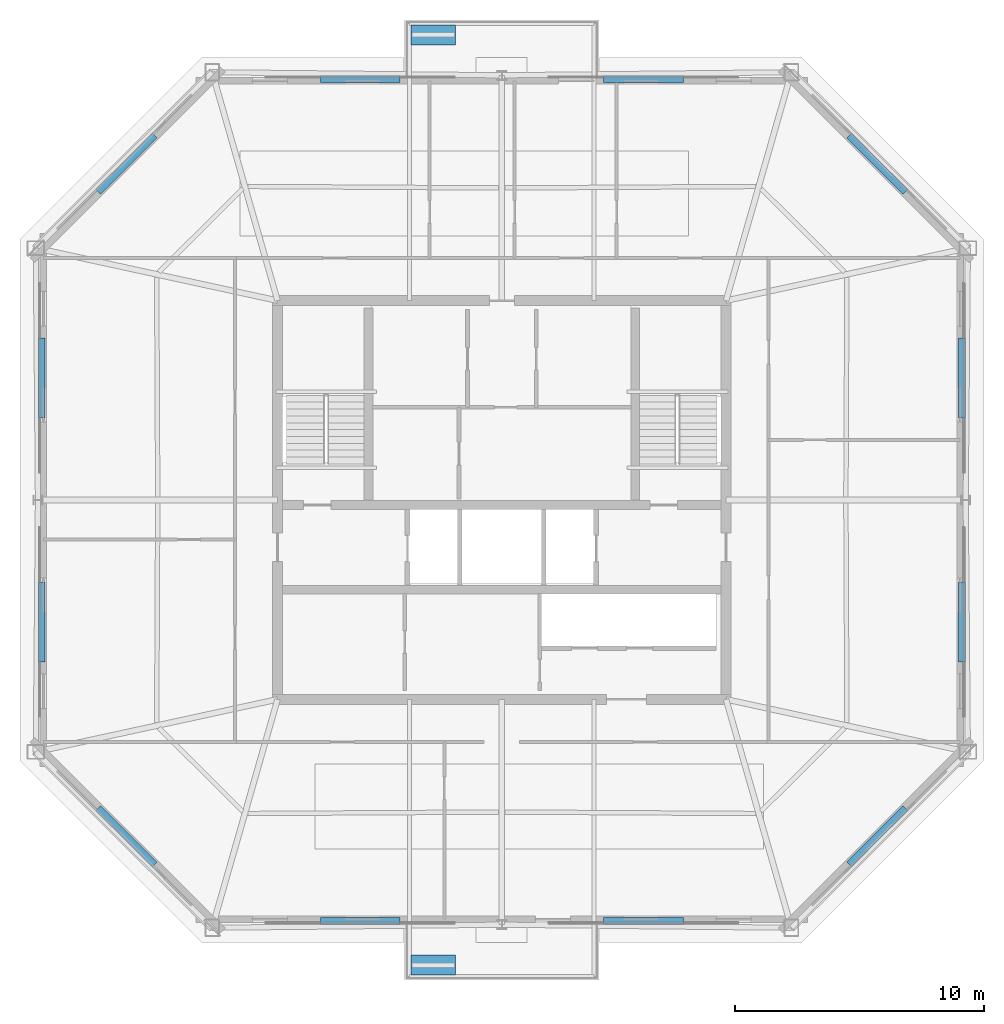
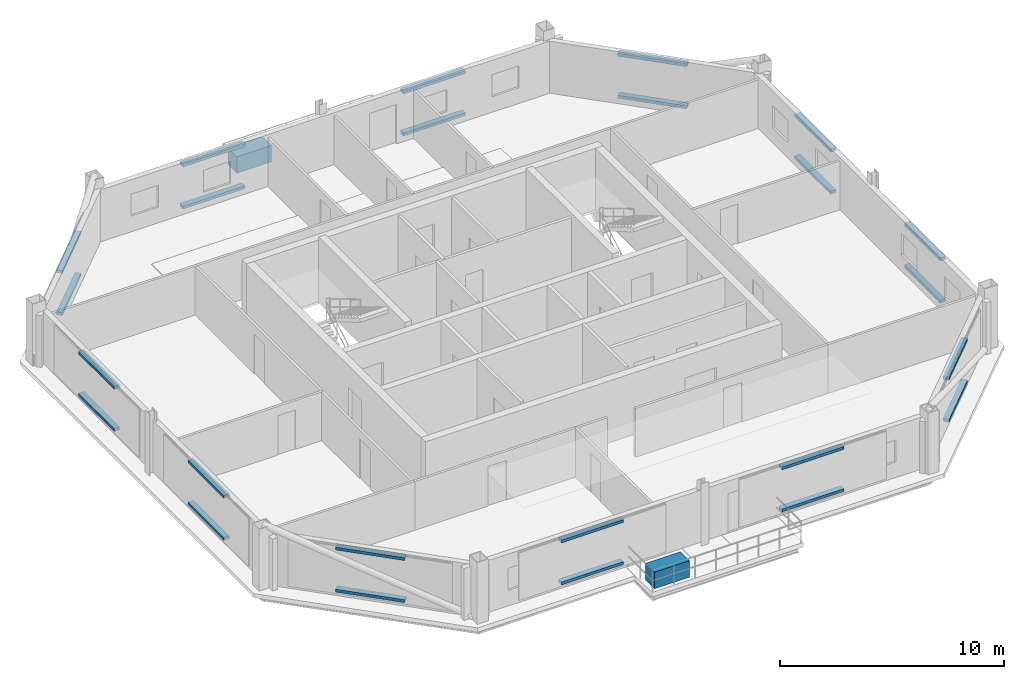
# One storey, part 5 of 7: 26 discrete accessories.
"""IFC4 building model written with IfcOpenShell, lengths in metres."""

from ifc_helpers import new_model, si_unit, direction, frame, origin, origin_2d, place, context, subcontext, project, spatial, rectangle, extrude, material, type_object, element, save


model = new_model("IFC4")

# Units and contexts
model_context = context("Model", 3, precision=1e-05, world=origin(), true_north=direction((0.0, 1.0)))
body_context = subcontext(model_context, "Body", "Model", "MODEL_VIEW")
ifc_project = project(units=[si_unit("LENGTHUNIT", "METRE"), si_unit("AREAUNIT", "SQUARE_METRE"), si_unit("VOLUMEUNIT", "CUBIC_METRE"), si_unit("PLANEANGLEUNIT", "RADIAN"), si_unit("MASSUNIT", "GRAM", prefix="KILO")], contexts=[model_context])

# Site, building, storey
site_placement = place(None, origin())
site = spatial("IfcSite", under=ifc_project, at=site_placement, CompositionType="ELEMENT")
building_placement = place(site_placement, origin())
building = spatial("IfcBuilding", under=site, at=building_placement, Name="Caelvoria Tower", CompositionType="ELEMENT")
storey_placement = place(building_placement, frame((0.0, 0.0, 253.800048828125)))
storey = spatial("IfcBuildingStorey", under=building, at=storey_placement, Name="L67", CompositionType="ELEMENT", Elevation=253.800048828125)

# Discrete accessories
ifc_material_1 = material(Name="Anodised Bronze Stainless Bracket", Category="bronze")
discrete_accessory_type_1 = type_object("IfcDiscreteAccessoryType", Name="Solar Screen Outrigger Support Bracket", PredefinedType="BRACKET", material=ifc_material_1)
for number, where, z_axis, x_axis, name in (
    (1, (40.31640625, 15.103515625, 0.240234375), (0.0, 0.0, 1.0), (1.0, 0.0, 0.0), "Solar Screen Bracket L67-E0-00"),
    (2, (40.31640625, 15.103515625, 2.5322265625), (0.0, 0.0, 1.0), (1.0, 0.0, 0.0), "Upper Screen Band Bracket L67-E0-00"),
    (3, (51.68359375, 15.103515625, 0.240234375), (0.0, 0.0, 1.0), (1.0, 0.0, 0.0), "Solar Screen Bracket L67-E0-01"),
    (4, (51.68359375, 15.103515625, 2.5322265625), (0.0, 0.0, 1.0), (1.0, 0.0, 0.0), "Upper Screen Band Bracket L67-E0-01"),
    (5, (61.068603515625, 18.504150390625, 0.240234375), (0.0, 0.0, 1.0), (0.707106781187, 0.707106781187, 0.0), "Solar Screen Bracket L67-E1-00"),
    (6, (61.068603515625, 18.504150390625, 2.5322265625), (0.0, 0.0, 1.0), (0.707106781187, 0.707106781187, 0.0), "Upper Screen Band Bracket L67-E1-00"),
    (7, (64.46923828125, 27.102783203125, 0.240234375), (0.0, 0.0, 1.0), (0.0, 1.0, 0.0), "Solar Screen Bracket L67-E2-00"),
    (8, (64.46923828125, 27.102783203125, 2.5322265625), (0.0, 0.0, 1.0), (0.0, 1.0, 0.0), "Upper Screen Band Bracket L67-E2-00"),
    (9, (64.46923828125, 36.897216796875, 0.240234375), (0.0, 0.0, 1.0), (0.0, 1.0, 0.0), "Solar Screen Bracket L67-E2-01"),
    (10, (64.46923828125, 36.897216796875, 2.5322265625), (0.0, 0.0, 1.0), (0.0, 1.0, 0.0), "Upper Screen Band Bracket L67-E2-01"),
    (11, (61.068603515625, 45.495849609375, 0.240234375), (0.0, 0.0, 1.0), (-0.707106781187, 0.707106781187, 0.0), "Solar Screen Bracket L67-E3-00"),
    (12, (61.068603515625, 45.495849609375, 2.5322265625), (0.0, 0.0, 1.0), (-0.707106781187, 0.707106781187, 0.0), "Upper Screen Band Bracket L67-E3-00"),
    (13, (51.68359375, 48.896484375, 0.240234375), (0.0, 0.0, 1.0), (-1.0, 0.0, 0.0), "Solar Screen Bracket L67-E4-00"),
    (14, (51.68359375, 48.896484375, 2.5322265625), (0.0, 0.0, 1.0), (-1.0, 0.0, 0.0), "Upper Screen Band Bracket L67-E4-00"),
    (15, (40.31640625, 48.896484375, 0.240234375), (0.0, 0.0, 1.0), (-1.0, 0.0, 0.0), "Solar Screen Bracket L67-E4-01"),
    (16, (40.31640625, 48.896484375, 2.5322265625), (0.0, 0.0, 1.0), (-1.0, 0.0, 0.0), "Upper Screen Band Bracket L67-E4-01"),
    (17, (30.931396484375, 45.495849609375, 0.240234375), (0.0, 0.0, 1.0), (-0.707106781187, -0.707106781187, 0.0), "Solar Screen Bracket L67-E5-00"),
    (18, (30.931396484375, 45.495849609375, 2.5322265625), (0.0, 0.0, 1.0), (-0.707106781187, -0.707106781187, 0.0), "Upper Screen Band Bracket L67-E5-00"),
    (19, (27.53076171875, 36.897216796875, 0.240234375), (0.0, 0.0, 1.0), (0.0, -1.0, 0.0), "Solar Screen Bracket L67-E6-00"),
    (20, (27.53076171875, 36.897216796875, 2.5322265625), (0.0, 0.0, 1.0), (0.0, -1.0, 0.0), "Upper Screen Band Bracket L67-E6-00"),
    (21, (27.53076171875, 27.102783203125, 0.240234375), (0.0, 0.0, 1.0), (0.0, -1.0, 0.0), "Solar Screen Bracket L67-E6-01"),
    (22, (27.53076171875, 27.102783203125, 2.5322265625), (0.0, 0.0, 1.0), (0.0, -1.0, 0.0), "Upper Screen Band Bracket L67-E6-01"),
    (23, (30.931396484375, 18.504150390625, 0.240234375), (0.0, 0.0, 1.0), (0.707106781187, -0.707106781187, 0.0), "Solar Screen Bracket L67-E7-00"),
    (24, (30.931396484375, 18.504150390625, 2.5322265625), (0.0, 0.0, 1.0), (0.707106781187, -0.707106781187, 0.0), "Upper Screen Band Bracket L67-E7-00"),
):
    element("IfcDiscreteAccessory", number, at=place(storey_placement, frame(where, z_axis=z_axis, x_axis=x_axis)), inside=storey, type_object=discrete_accessory_type_1, Name=name, PredefinedType="BRACKET", context=body_context, shape_type="SweptSolid", body=[
        extrude(rectangle(XDim=3.199951171875, YDim=0.280029296875, at=origin_2d()), origin(), (0.0, 0.0, 1.0), 0.159912109375),
    ])
ifc_material_2 = material(Name="Bronze-Clad Concrete C40/50 Planter Vessel", Category="concrete")
discrete_accessory_type_2 = type_object("IfcDiscreteAccessoryType", Name="Tree Balcony Structural Planter Vessel PLANTER", PredefinedType="USERDEFINED", material=ifc_material_2)
for number, where, z_axis, x_axis, name in (
    (25, (43.25, 13.33642578125, 0.0), (0.0, 0.0, 1.0), (1.0, 0.0, 0.0), "Tree Balcony Planter TB-L67-S"),
    (26, (43.25, 50.66357421875, 0.0), (0.0, 0.0, 1.0), (1.0, 0.0, 0.0), "Tree Balcony Planter TB-L67-N"),
):
    element("IfcDiscreteAccessory", number, at=place(storey_placement, frame(where, z_axis=z_axis, x_axis=x_axis)), inside=storey, type_object=discrete_accessory_type_2, Name=name, ObjectType="PLANTER", PredefinedType="USERDEFINED", context=body_context, shape_type="SweptSolid", body=[
        extrude(rectangle(XDim=1.800048828125, YDim=0.800048828125, at=origin_2d()), origin(), (0.0, 0.0, 1.0), 0.89990234375),
    ])

save(model, "model.ifc")
